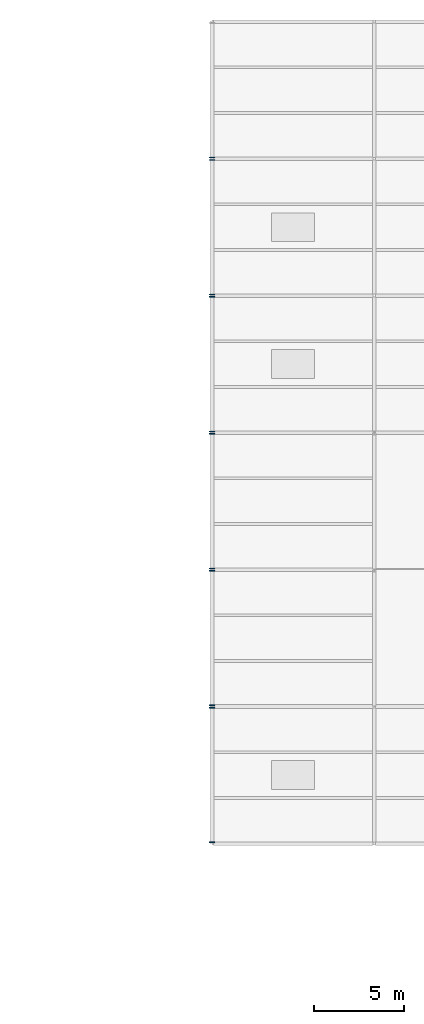
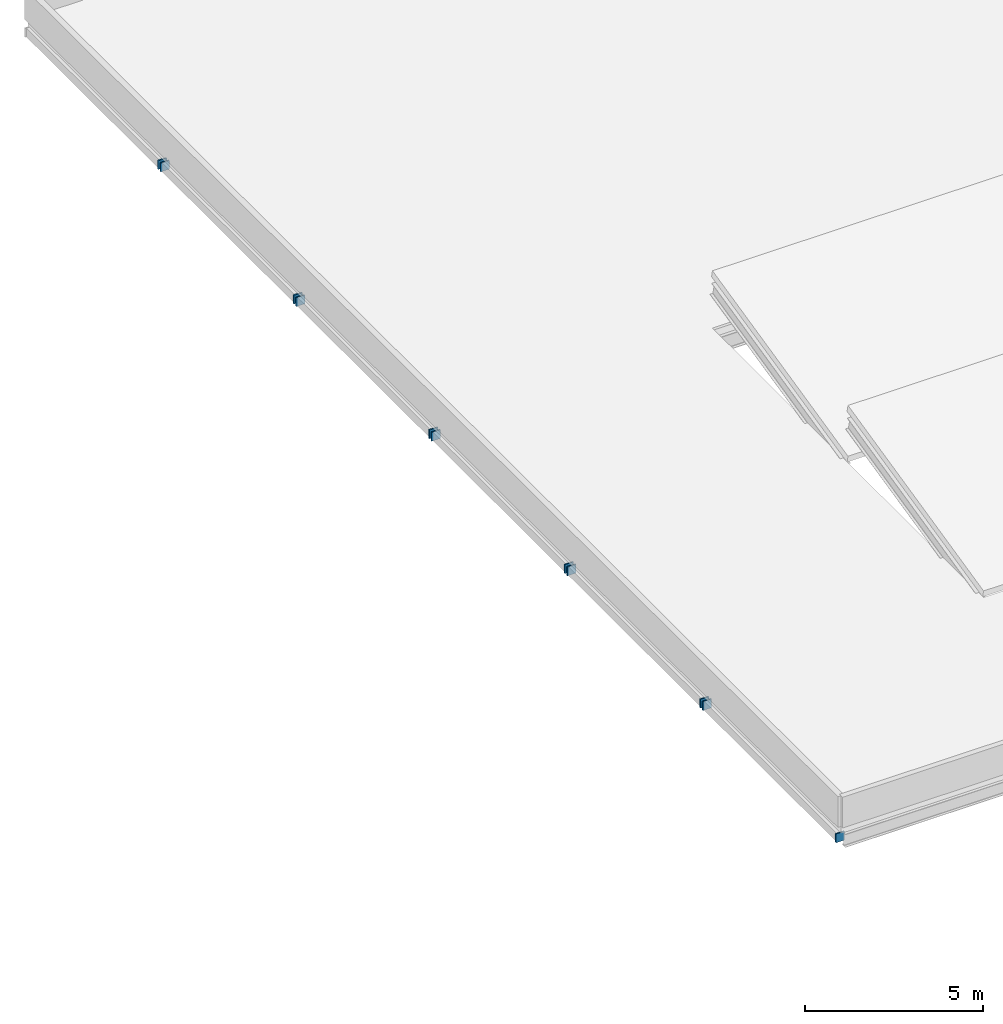
# One storey, part 16 of 24: 11 plates.
"""IFC4 building model written with IfcOpenShell, lengths in metres."""

from ifc_helpers import new_model, si_unit, direction, frame, origin, origin_2d, place, context, subcontext, project, spatial, rectangle, extrude, material, layer, layer_set, type_object, element, save


model = new_model("IFC4")

# Units and contexts
model_context = context("Model", 3, precision=1e-05, world=origin(), true_north=direction((0.0, 1.0)))
body_context = subcontext(model_context, "Body", "Model", "MODEL_VIEW")
ifc_project = project(units=[si_unit("LENGTHUNIT", "METRE"), si_unit("AREAUNIT", "SQUARE_METRE"), si_unit("VOLUMEUNIT", "CUBIC_METRE"), si_unit("PLANEANGLEUNIT", "RADIAN"), si_unit("MASSUNIT", "GRAM", prefix="KILO")], contexts=[model_context])

# Site, building, storey
site_placement = place(None, origin())
site = spatial("IfcSite", under=ifc_project, at=site_placement, CompositionType="ELEMENT")
building_placement = place(site_placement, origin())
building = spatial("IfcBuilding", under=site, at=building_placement, Name="Caisbarro Railhouse Central Library", CompositionType="ELEMENT")
storey_placement = place(building_placement, frame((0.0, 0.0, 22.320068359375)))
storey = spatial("IfcBuildingStorey", under=building, at=storey_placement, Name="L05", CompositionType="ELEMENT", Elevation=22.320068359375)

# Plates
ifc_material = material(Name="Steel ASTM A572 Grade 50", Category="steel")
ifc_layer = layer(ifc_material, 0.044921875, Name="Steel ASTM A572 Grade 50")
ifc_layer_set = layer_set([ifc_layer], Name="Steel ASTM A572 Grade 50")
plate_type = type_object("IfcPlateType", Name="PLT-EP01", PredefinedType="SHEET", material=ifc_layer_set)
for number, where, z_axis, x_axis, name in (
    (1, (117.0, 68.468017578125, -0.5400390625), (0.0, 0.0, 1.0), (0.0, 1.0, 0.0), "EP01 end cap plate"),
    (2, (117.0, 75.931884765625, -0.5400390625), (0.0, 0.0, 1.0), (0.0, 1.0, 0.0), "EP01 end cap plate"),
    (3, (117.0, 76.068115234375, -0.5400390625), (0.0, 0.0, 1.0), (0.0, 1.0, 0.0), "EP01 end cap plate"),
    (4, (117.0, 83.531982421875, -0.5400390625), (0.0, 0.0, 1.0), (0.0, 1.0, 0.0), "EP01 end cap plate"),
    (5, (117.0, 83.66796875, -0.5400390625), (0.0, 0.0, 1.0), (0.0, 1.0, 0.0), "EP01 end cap plate"),
    (6, (117.0, 91.132080078125, -0.5400390625), (0.0, 0.0, 1.0), (0.0, 1.0, 0.0), "EP01 end cap plate"),
    (7, (117.0, 91.26806640625, -0.5400390625), (0.0, 0.0, 1.0), (0.0, 1.0, 0.0), "EP01 end cap plate"),
    (8, (117.0, 98.73193359375, -0.5400390625), (0.0, 0.0, 1.0), (0.0, 1.0, 0.0), "EP01 end cap plate"),
    (9, (117.0, 98.867919921875, -0.5400390625), (0.0, 0.0, 1.0), (0.0, 1.0, 0.0), "EP01 end cap plate"),
    (10, (117.0, 106.33203125, -0.5400390625), (0.0, 0.0, 1.0), (0.0, 1.0, 0.0), "EP01 end cap plate"),
    (11, (117.0, 106.468017578125, -0.5400390625), (0.0, 0.0, 1.0), (0.0, 1.0, 0.0), "EP01 end cap plate"),
):
    element("IfcPlate", number, at=place(storey_placement, frame(where, z_axis=z_axis, x_axis=x_axis)), inside=storey, type_object=plate_type, Name=name, PredefinedType="SHEET", context=body_context, shape_type="SweptSolid", body=[
        extrude(rectangle(XDim=0.044921875, YDim=0.280029296875, at=origin_2d()), origin(), (0.0, 0.0, 1.0), 0.300048828125),
    ])

save(model, "model.ifc")
